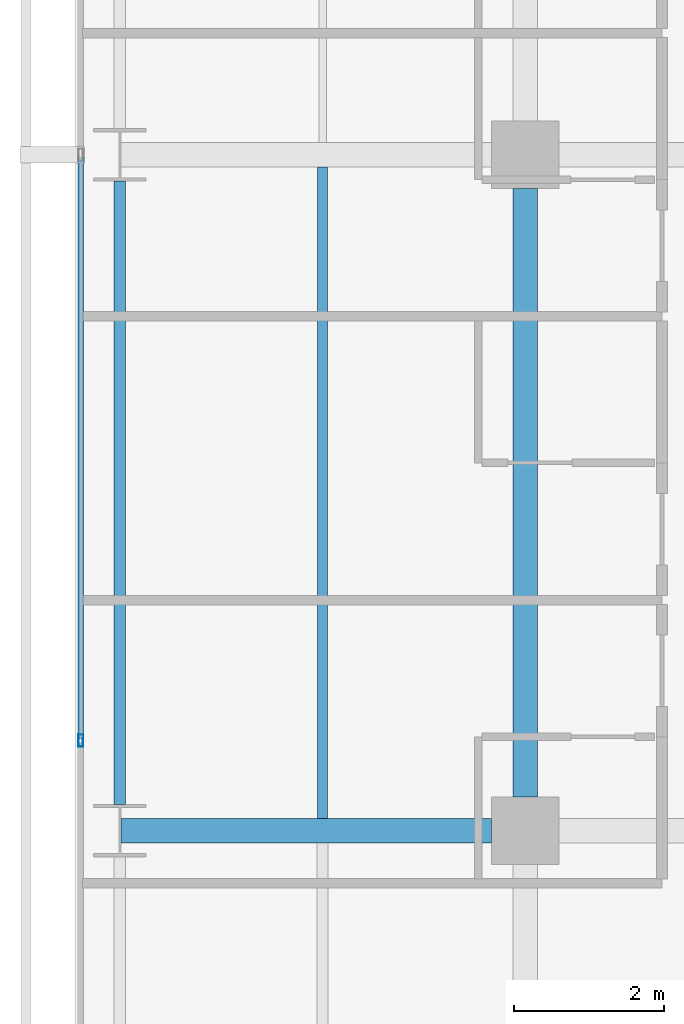
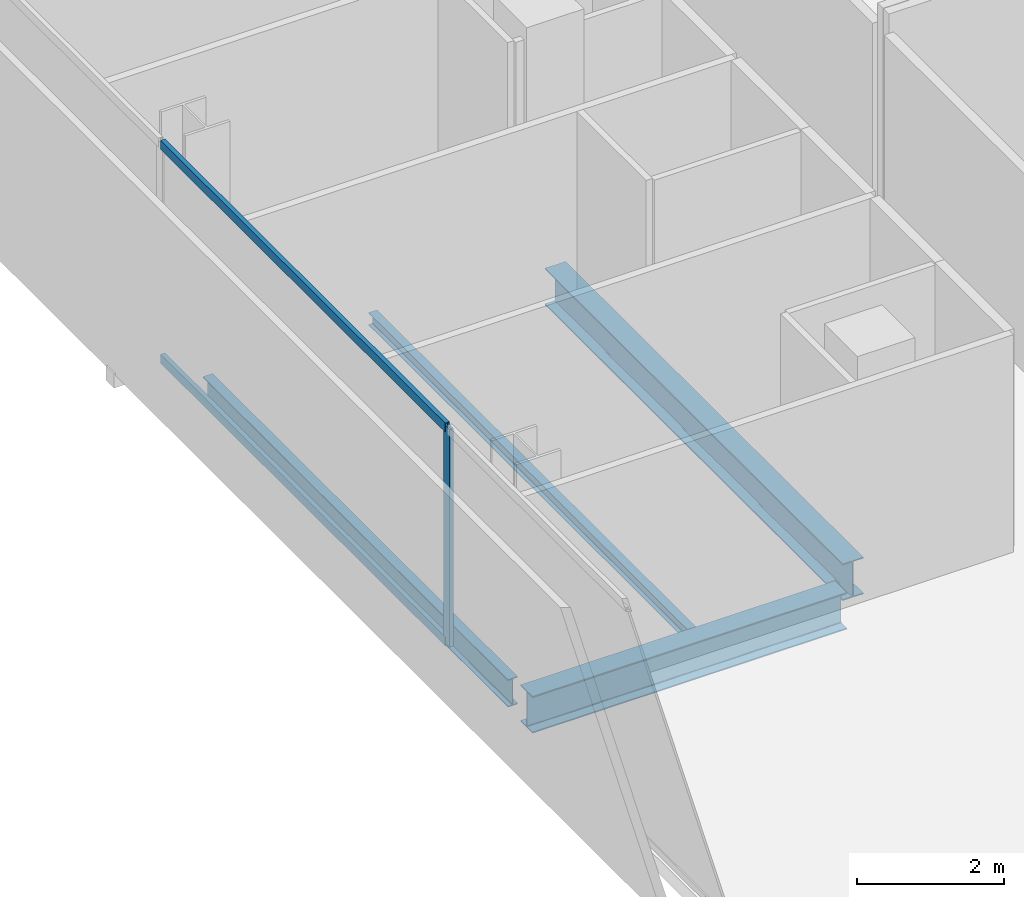
# One storey, part 10 of 40: 4 beams, 3 members, 1 element without a shape of its own.
"""IFC4 building model written with IfcOpenShell, lengths in metres."""

from ifc_helpers import new_model, si_unit, direction, frame, origin, origin_2d, place, context, subcontext, project, spatial, hollow_rectangle, i_section, extrude, material, layer, layer_set, material_profile, profile_set, type_object, element, aggregate, save


model = new_model("IFC4")

# Units and contexts
model_context = context("Model", 3, precision=1e-05, world=origin(), true_north=direction((0.0, 1.0)))
body_context = subcontext(model_context, "Body", "Model", "MODEL_VIEW")
ifc_project = project(units=[si_unit("LENGTHUNIT", "METRE"), si_unit("AREAUNIT", "SQUARE_METRE"), si_unit("VOLUMEUNIT", "CUBIC_METRE"), si_unit("PLANEANGLEUNIT", "RADIAN"), si_unit("MASSUNIT", "GRAM", prefix="KILO")], contexts=[model_context])

# Site, building, storey
site_placement = place(None, origin())
site = spatial("IfcSite", under=ifc_project, at=site_placement, CompositionType="ELEMENT")
building_placement = place(site_placement, origin())
building = spatial("IfcBuilding", under=site, at=building_placement, Name="Maruvema Waterfront Hotel and Observation Tower", CompositionType="ELEMENT")
storey_placement = place(building_placement, frame((0.0, 0.0, 107.800048828125)))
storey = spatial("IfcBuildingStorey", under=building, at=storey_placement, Name="L26", CompositionType="ELEMENT", Elevation=107.800048828125)

# Curtain wall, members
ifc_material_1 = material(Name="Anodised bronze aluminium and solar-control low-E IGU", Category="aluminium")
ifc_layer = layer(ifc_material_1, 0.159912109375, Name="Zone 1 Bronze Inner Thermal Curtain Wall System CW-02")
ifc_layer_set = layer_set([ifc_layer], Name="Anodised bronze aluminium and solar-control low-E IGU")
curtain_wall_type = type_object("IfcCurtainWallType", Name="Zone 1 Bronze Inner Thermal Curtain Wall System CW-02", PredefinedType="USERDEFINED", material=ifc_layer_set)
curtain_wall_placement = place(storey_placement, origin())
curtain_wall = element("IfcCurtainWall", 1, at=curtain_wall_placement, inside=storey, type_object=curtain_wall_type, Name="L26 Curtain Wall CW-L26-W", ObjectType="UNITISED CURTAIN WALL", PredefinedType="USERDEFINED")
ifc_material_2 = material(Name="Anodised architectural bronze aluminium", Category="aluminium")
ifc_material_profile_1 = material_profile(ifc_material_2, hollow_rectangle(XDim=0.070068359375, YDim=0.14990234375, WallThickness=0.00390625, at=origin_2d()), Name="ALU-T70x150")
ifc_profile_set_1 = profile_set([ifc_material_profile_1], Name="Anodised architectural bronze aluminium")
member_type_1 = type_object("IfcMemberType", Name="Curtain Wall Horizontal Transom ALU-T70x150", PredefinedType="USERDEFINED", material=ifc_profile_set_1)
member_1_placement = place(storey_placement, frame((10.8798828125, 26.969970703125, 0.030029296875), z_axis=(0.0, -1.0, 0.0), x_axis=(1.0, 0.0, 0.0)))
member_1 = element("IfcMember", 2, at=member_1_placement, type_object=member_type_1, Name="CW-02 transom 4.1", ObjectType="TRANSOM", PredefinedType="USERDEFINED", context=body_context, shape_type="SweptSolid", body=[
    extrude(hollow_rectangle(XDim=0.070068359375, YDim=0.14990234375, WallThickness=0.00390625, at=origin_2d()), origin(), (0.0, 0.0, 1.0), 7.739990234375),
])
member_2_placement = place(storey_placement, frame((10.8798828125, 26.969970703125, 3.579833984375), z_axis=(0.0, -1.0, 0.0), x_axis=(1.0, 0.0, 0.0)))
member_2 = element("IfcMember", 3, at=member_2_placement, type_object=member_type_1, Name="CW-02 transom 4.2", ObjectType="TRANSOM", PredefinedType="USERDEFINED", context=body_context, shape_type="SweptSolid", body=[
    extrude(hollow_rectangle(XDim=0.070068359375, YDim=0.14990234375, WallThickness=0.00390625, at=origin_2d()), origin(), (0.0, 0.0, 1.0), 7.739990234375),
])
ifc_material_3 = material(Name="Anodised architectural bronze aluminium", Category="aluminium")
ifc_material_profile_2 = material_profile(ifc_material_3, hollow_rectangle(XDim=0.06494140625, YDim=0.1650390625, WallThickness=0.00390625, at=origin_2d()), Name="ALU-M65x165")
ifc_profile_set_2 = profile_set([ifc_material_profile_2], Name="Anodised architectural bronze aluminium")
member_type_2 = type_object("IfcMemberType", Name="Curtain Wall Primary Mullion ALU-M65x165", PredefinedType="MULLION", material=ifc_profile_set_2)
member_3_placement = place(storey_placement, frame((10.8798828125, 19.199951171875, 0.0), z_axis=(0.0, 0.0, 1.0), x_axis=(1.0, 0.0, 0.0)))
member_3 = element("IfcMember", 4, at=member_3_placement, type_object=member_type_2, Name="CW-02 mullion 5", PredefinedType="MULLION", context=body_context, shape_type="SweptSolid", body=[
    extrude(hollow_rectangle(XDim=0.06494140625, YDim=0.1650390625, WallThickness=0.00390625, at=origin_2d()), origin(), (0.0, 0.0, 1.0), 3.60986328125),
])
aggregate(curtain_wall, [member_3, member_1, member_2])

# Beams
ifc_material_4 = material(Name="Steel ASTM A572 Grade 50", Category="steel")
ifc_material_profile_3 = material_profile(ifc_material_4, i_section(OverallWidth=0.153076171875, OverallDepth=0.455078125, WebThickness=0.008056640625, FlangeThickness=0.01318359375, FilletRadius=0.014892578125, at=origin_2d()), Name="W460x60.0")
ifc_profile_set_3 = profile_set([ifc_material_profile_3], Name="Steel ASTM A572 Grade 50")
beam_type_1 = type_object("IfcBeamType", Name="Perimeter Spandrel Beam W460x60.0", PredefinedType="SPANDREL", material=ifc_profile_set_3)
beam_1_placement = place(storey_placement, frame((11.39990234375, 18.35009765625, -0.467529296875), z_axis=(0.0, 1.0, 0.0), x_axis=(-1.0, 0.0, 0.0)))
element("IfcBeam", 5, at=beam_1_placement, inside=storey, type_object=beam_type_1, Name="L26 Floor Girder NS-02", PredefinedType="SPANDREL", context=body_context, shape_type="SweptSolid", body=[
    extrude(i_section(OverallWidth=0.153076171875, OverallDepth=0.455078125, WebThickness=0.008056640625, FlangeThickness=0.01318359375, FilletRadius=0.014892578125, at=origin_2d()), origin(), (0.0, 0.0, 1.0), 8.2998046875),
])
ifc_material_5 = material(Name="Steel ASTM A572 Grade 50", Category="steel")
ifc_material_profile_4 = material_profile(ifc_material_5, i_section(OverallWidth=0.323974609375, OverallDepth=0.611083984375, WebThickness=0.0126953125, FlangeThickness=0.01904296875, FilletRadius=0.01806640625, at=origin_2d()), Name="W610x155.0")
ifc_profile_set_4 = profile_set([ifc_material_profile_4], Name="Steel ASTM A572 Grade 50")
beam_type_2 = type_object("IfcBeamType", Name="Primary Floor Girder W610x155.0", PredefinedType="BEAM", material=ifc_profile_set_4)
beam_2_placement = place(storey_placement, frame((11.4140625, 18.0, -0.545654296875), z_axis=(1.0, 0.0, 0.0), x_axis=(0.0, 1.0, 0.0)))
element("IfcBeam", 6, at=beam_2_placement, inside=storey, type_object=beam_type_2, Name="L26 Floor Girder EW-13", PredefinedType="BEAM", context=body_context, shape_type="SweptSolid", body=[
    extrude(i_section(OverallWidth=0.323974609375, OverallDepth=0.611083984375, WebThickness=0.0126953125, FlangeThickness=0.01904296875, FilletRadius=0.01806640625, at=origin_2d()), origin(), (0.0, 0.0, 1.0), 4.93603515625),
])
beam_3_placement = place(storey_placement, frame((16.800048828125, 18.449951171875, -0.545654296875), z_axis=(0.0, 1.0, 0.0), x_axis=(-1.0, 0.0, 0.0)))
element("IfcBeam", 7, at=beam_3_placement, inside=storey, type_object=beam_type_2, Name="L26 Floor Girder NS-07", PredefinedType="BEAM", context=body_context, shape_type="SweptSolid", body=[
    extrude(i_section(OverallWidth=0.323974609375, OverallDepth=0.611083984375, WebThickness=0.0126953125, FlangeThickness=0.01904296875, FilletRadius=0.01806640625, at=origin_2d()), origin(), (0.0, 0.0, 1.0), 8.10009765625),
])
ifc_material_6 = material(Name="Steel ASTM A572 Grade 50", Category="steel")
ifc_material_profile_5 = material_profile(ifc_material_6, i_section(OverallWidth=0.133056640625, OverallDepth=0.20703125, WebThickness=0.005859375, FlangeThickness=0.00830078125, FilletRadius=0.010009765625, at=origin_2d()), Name="W200x26.6")
ifc_profile_set_5 = profile_set([ifc_material_profile_5], Name="Steel ASTM A572 Grade 50")
beam_type_3 = type_object("IfcBeamType", Name="Secondary Floor Joist W200x26.6", PredefinedType="JOIST", material=ifc_profile_set_5)
beam_4_placement = place(storey_placement, frame((14.10009765625, 18.162109375, -0.343505859375), z_axis=(0.0, 1.0, 0.0), x_axis=(-1.0, 0.0, 0.0)))
element("IfcBeam", 8, at=beam_4_placement, inside=storey, type_object=beam_type_3, Name="L26 Secondary Floor Joist JS-02", PredefinedType="JOIST", context=body_context, shape_type="SweptSolid", body=[
    extrude(i_section(OverallWidth=0.133056640625, OverallDepth=0.20703125, WebThickness=0.005859375, FlangeThickness=0.00830078125, FilletRadius=0.010009765625, at=origin_2d()), origin(), (0.0, 0.0, 1.0), 8.67578125),
])

save(model, "model.ifc")
